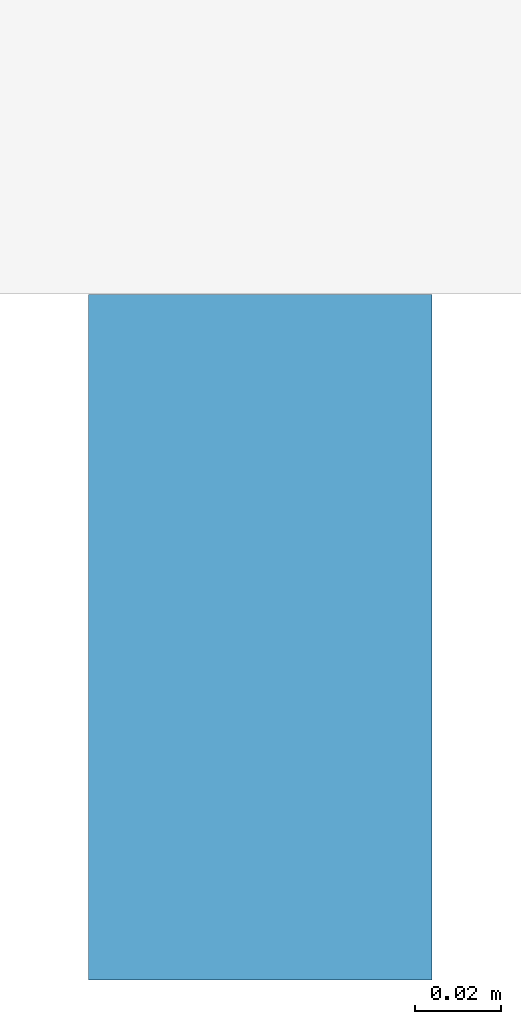
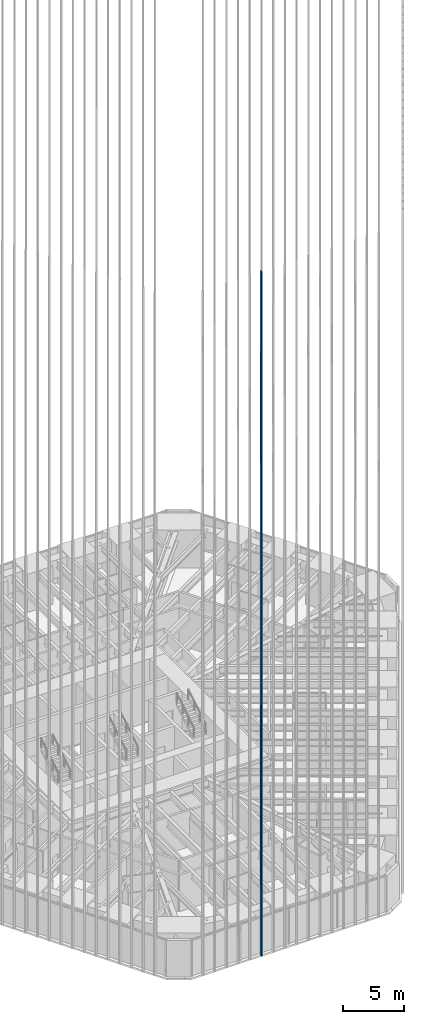
# One storey, part 33 of 256: 1 member, 1 element without a shape of its own.
"""IFC4 building model written with IfcOpenShell, lengths in metres."""

from ifc_helpers import new_model, si_unit, direction, frame, origin, origin_2d, place, context, subcontext, project, spatial, rectangle, extrude, material, material_profile, profile_set, type_object, element, aggregate, save


model = new_model("IFC4")

# Units and contexts
model_context = context("Model", 3, precision=1e-05, world=origin(), true_north=direction((0.0, 1.0)))
body_context = subcontext(model_context, "Body", "Model", "MODEL_VIEW")
ifc_project = project(units=[si_unit("LENGTHUNIT", "METRE"), si_unit("AREAUNIT", "SQUARE_METRE"), si_unit("VOLUMEUNIT", "CUBIC_METRE"), si_unit("PLANEANGLEUNIT", "RADIAN"), si_unit("MASSUNIT", "GRAM", prefix="KILO")], contexts=[model_context])

# Site, building, storey
site_placement = place(None, origin())
site = spatial("IfcSite", under=ifc_project, at=site_placement, CompositionType="ELEMENT")
building_placement = place(site_placement, origin())
building = spatial("IfcBuilding", under=site, at=building_placement, Name="Sandreach Pilgrim Tower", CompositionType="ELEMENT")
storey_placement = place(building_placement, frame((0.0, 0.0, 23.0)))
storey = spatial("IfcBuildingStorey", under=building, at=storey_placement, Name="L04", CompositionType="ELEMENT", Elevation=23.0)

# Curtain wall, member
ifc_material_1 = material(Name="Aluminium framed curtain wall", Category="aluminium")
curtain_wall_type = type_object("IfcCurtainWallType", Name="Hostel tower curtain wall", PredefinedType="NOTDEFINED", material=ifc_material_1)
curtain_wall_placement = place(storey_placement, origin())
curtain_wall = element("IfcCurtainWall", 1, at=curtain_wall_placement, inside=storey, type_object=curtain_wall_type, Name="CW-1 L04 S", PredefinedType="NOTDEFINED")
ifc_material_2 = material(Name="Extruded terracotta on aluminium core", Category="masonry")
ifc_material_profile = material_profile(ifc_material_2, rectangle(XDim=0.080078125, YDim=0.159912109375, at=origin_2d()), Name="TBS 80X160")
ifc_profile_set = profile_set([ifc_material_profile], Name="Extruded terracotta on aluminium core")
member_type = type_object("IfcMemberType", Name="Terracotta baguette south", PredefinedType="USERDEFINED", material=ifc_profile_set)
member_placement = place(storey_placement, frame((-2.76220703125, -30.390869140625, 0.0), z_axis=(0.0, 0.0, 1.0), x_axis=(-1.0, 0.0, 0.0)))
member = element("IfcMember", 2, at=member_placement, type_object=member_type, Name="Baguette Z1 S11", ObjectType="BAGUETTE", PredefinedType="USERDEFINED", context=body_context, shape_type="SweptSolid", body=[
    extrude(rectangle(XDim=0.080078125, YDim=0.159912109375, at=origin_2d()), origin(), (0.0, 0.0, 1.0), 68.239990234375),
])
aggregate(curtain_wall, [member])

save(model, "model.ifc")
